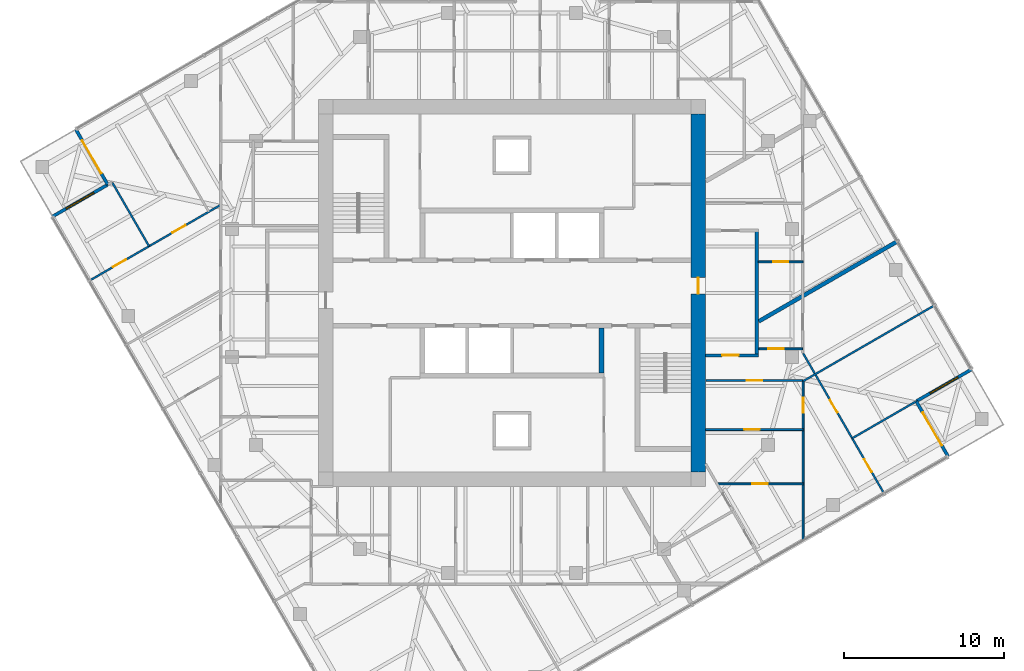
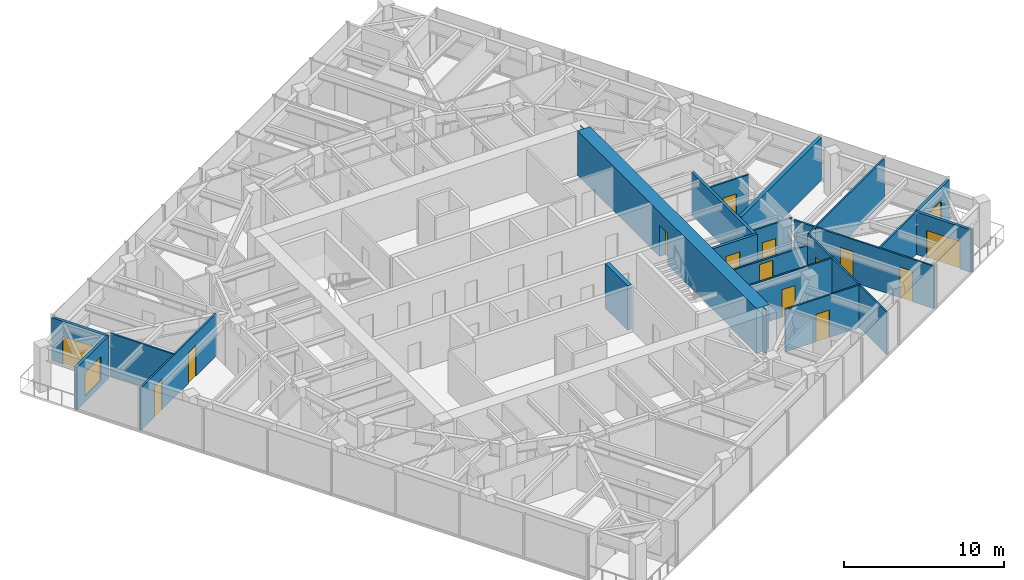
# One storey, part 9 of 13: 20 walls, 14 doors, 2 windows, 16 openings.
"""IFC4 building model written with IfcOpenShell, lengths in metres."""

from ifc_helpers import new_model, si_unit, direction, frame, frame_2d, origin, place, context, subcontext, project, spatial, polyline, rectangle, outline, extrude, material, layer, layer_set, type_object, element, fill, save


model = new_model("IFC4")

# Units and contexts
model_context = context("Model", 3, precision=1e-05, world=origin(), true_north=direction((0.0, 1.0)))
body_context = subcontext(model_context, "Body", "Model", "MODEL_VIEW")
ifc_project = project(units=[si_unit("LENGTHUNIT", "METRE"), si_unit("AREAUNIT", "SQUARE_METRE"), si_unit("VOLUMEUNIT", "CUBIC_METRE"), si_unit("PLANEANGLEUNIT", "RADIAN"), si_unit("MASSUNIT", "GRAM", prefix="KILO")], contexts=[model_context])

# Site, building, storey
site_placement = place(None, origin())
site = spatial("IfcSite", under=ifc_project, at=site_placement, CompositionType="ELEMENT")
building_placement = place(site_placement, origin())
building = spatial("IfcBuilding", under=site, at=building_placement, Name="Torsade Residences", CompositionType="ELEMENT")
storey_placement = place(building_placement, frame((0.0, 0.0, 228.60009765625)))
storey = spatial("IfcBuildingStorey", under=building, at=storey_placement, Name="L63", CompositionType="ELEMENT", Elevation=228.60009765625)

# Wall
ifc_material_1 = material(Name="Concrete 80 MPa", Category="concrete")
ifc_layer_1 = layer(ifc_material_1, 0.300048828125)
ifc_layer_set_1 = layer_set([ifc_layer_1], Name="Concrete 80 MPa")
wall_type_1 = type_object("IfcWallType", Name="CORE INTERNAL WALL 300", PredefinedType="SHEAR", material=ifc_layer_set_1)
wall_1_placement = place(storey_placement, frame((45.60009765625, 27.800048828125, 0.0), z_axis=(0.0, 0.0, 1.0), x_axis=(0.0, -1.0, 0.0)))
element("IfcWall", 1, at=wall_1_placement, inside=storey, type_object=wall_type_1, Name="Core wall DS0 L63", PredefinedType="SHEAR", context=body_context, shape_type="SweptSolid", body=[
    extrude(rectangle(XDim=2.800048828125, YDim=0.300048828125, at=frame_2d((1.39990234375, 0.0))), origin(), (0.0, 0.0, 1.0), 3.39990234375),
])

# Wall, opening, door
ifc_material_2 = material(Name="Concrete 80 MPa", Category="concrete")
ifc_layer_2 = layer(ifc_material_2, 0.89990234375)
ifc_layer_set_2 = layer_set([ifc_layer_2], Name="Concrete 80 MPa")
wall_type_2 = type_object("IfcWallType", Name="CORE WALL 900", PredefinedType="SHEAR", material=ifc_layer_set_2)
wall_2_placement = place(storey_placement, frame((51.64990234375, 18.800048828125, 0.0), z_axis=(0.0, 0.0, 1.0), x_axis=(0.0, 1.0, 0.0)))
wall_2 = element("IfcWall", 2, at=wall_2_placement, inside=storey, type_object=wall_type_2, Name="Core wall E L63", PredefinedType="SHEAR", context=body_context, shape_type="SweptSolid", body=[
    extrude(outline(polyline([(0.0, -0.449951171875), (22.39990234375, -0.449951171875), (22.39990234375, -0.02490234375), (22.849853515625, -0.02490234375), (22.849853515625, 0.02490234375), (22.39990234375, 0.02490234375), (22.39990234375, 0.449951171875), (0.0, 0.449951171875), (0.0, 0.02490234375), (-0.449951171875, 0.02490234375), (-0.449951171875, -0.02490234375), (0.0, -0.02490234375), (0.0, -0.449951171875)])), origin(), (0.0, 0.0, 1.0), 3.39990234375),
])
opening_1_placement = place(wall_2_placement, frame((11.139892578125, 0.0, 0.0)))
opening_1 = element("IfcOpeningElement", 3, at=opening_1_placement, cuts=wall_2, Name="Opening D04", PredefinedType="OPENING", context=body_context, shape_type="SweptSolid", body=[
    extrude(rectangle(XDim=1.02001953125, YDim=2.39990234375, at=frame_2d((0.510009765625, 1.199951171875))), frame((0.0, 0.4599609375, 0.0), z_axis=(0.0, -1.0, 0.0), x_axis=(1.0, 0.0, 0.0)), (0.0, 0.0, 1.0), 0.919921875),
])
ifc_material_3 = material(Name="Steel-framed fire door", Category="steel")
door_type_1 = type_object("IfcDoorType", Name="LOBBY SMOKE DOOR 1020x2400", OperationType="NOTDEFINED", PredefinedType="DOOR", material=ifc_material_3)
door_1_placement = place(opening_1_placement, origin())
door_1 = element("IfcDoor", 4, at=door_1_placement, inside=storey, type_object=door_type_1, Name="Lift lobby door E L63", OperationType="SINGLE_SWING_LEFT", OverallHeight=2.39990234375, OverallWidth=1.02001953125, PredefinedType="DOOR", context=body_context, shape_type="SweptSolid", body=[
    extrude(rectangle(XDim=1.02001953125, YDim=2.39990234375, at=frame_2d((0.510009765625, 1.199951171875))), frame((0.0, 0.02490234375, 0.0), z_axis=(0.0, -1.0, 0.0), x_axis=(1.0, 0.0, 0.0)), (0.0, 0.0, 1.0), 0.050048828125),
])
fill(opening_1, door_1)

# Wall
ifc_material_4 = material(Name="Plasterboard on steel stud", Category="steel")
ifc_layer_3 = layer(ifc_material_4, 0.199951171875)
ifc_layer_set_3 = layer_set([ifc_layer_3], Name="Plasterboard on steel stud")
wall_type_3 = type_object("IfcWallType", Name="CORRIDOR WALL 200", PredefinedType="PARTITIONING", material=ifc_layer_set_3)
wall_3_placement = place(storey_placement, frame((55.300048828125, 26.10009765625, 0.0), z_axis=(0.0, 0.0, 1.0), x_axis=(0.0, 1.0, 0.0)))
element("IfcWall", 5, at=wall_3_placement, inside=storey, type_object=wall_type_3, Name="Corridor wall L63", PredefinedType="PARTITIONING", context=body_context, shape_type="SweptSolid", body=[
    extrude(rectangle(XDim=7.7998046875, YDim=0.199951171875, at=frame_2d((3.89990234375, 0.0))), origin(), (0.0, 0.0, 1.0), 3.25),
])

# Wall, opening, door
wall_4_placement = place(storey_placement, frame((52.10009765625, 26.10009765625, 0.0), z_axis=(0.0, 0.0, 1.0), x_axis=(1.0, 0.0, 0.0)))
wall_4 = element("IfcWall", 6, at=wall_4_placement, inside=storey, type_object=wall_type_3, Name="Corridor wall L63", PredefinedType="PARTITIONING", context=body_context, shape_type="SweptSolid", body=[
    extrude(rectangle(XDim=3.2998046875, YDim=0.199951171875, at=frame_2d((1.64990234375, 0.0))), origin(), (0.0, 0.0, 1.0), 3.25),
])
opening_2_placement = place(wall_4_placement, frame((1.0400390625, 0.0, 0.0)))
opening_2 = element("IfcOpeningElement", 7, at=opening_2_placement, cuts=wall_4, Name="Opening D01", PredefinedType="OPENING", context=body_context, shape_type="SweptSolid", body=[
    extrude(rectangle(XDim=1.02001953125, YDim=2.340087890625, at=frame_2d((0.510009765625, 1.169921875))), frame((0.0, 0.10986328125, 0.0), z_axis=(0.0, -1.0, 0.0), x_axis=(1.0, 0.0, 0.0)), (0.0, 0.0, 1.0), 0.219970703125),
])
ifc_material_5 = material(Name="Solid-core timber fire door", Category="wood")
door_type_2 = type_object("IfcDoorType", Name="APARTMENT ENTRY DOOR 1020x2340", OperationType="NOTDEFINED", PredefinedType="DOOR", material=ifc_material_5)
door_2_placement = place(opening_2_placement, origin())
door_2 = element("IfcDoor", 8, at=door_2_placement, inside=storey, type_object=door_type_2, Name="Door Residential corridor to Kitchen and dining", OperationType="SINGLE_SWING_LEFT", OverallHeight=2.340087890625, OverallWidth=1.02001953125, PredefinedType="DOOR", context=body_context, shape_type="SweptSolid", body=[
    extrude(rectangle(XDim=1.02001953125, YDim=2.340087890625, at=frame_2d((0.510009765625, 1.169921875))), frame((0.0, 0.02490234375, 0.0), z_axis=(0.0, -1.0, 0.0), x_axis=(1.0, 0.0, 0.0)), (0.0, 0.0, 1.0), 0.050048828125),
])
fill(opening_2, door_2)

ifc_material_6 = material(Name="Plasterboard on steel stud", Category="steel")
ifc_layer_4 = layer(ifc_material_6, 0.1201171875)
ifc_layer_set_4 = layer_set([ifc_layer_4], Name="Plasterboard on steel stud")
wall_type_4 = type_object("IfcWallType", Name="PARTITION 120", PredefinedType="PARTITIONING", material=ifc_layer_set_4)
wall_5_placement = place(storey_placement, frame((55.429931640625, 26.5078125, 0.0), z_axis=(0.0, 0.0, 1.0), x_axis=(1.0, 0.0, 0.0)))
wall_5 = element("IfcWall", 9, at=wall_5_placement, inside=storey, type_object=wall_type_4, Name="Partition L63", PredefinedType="PARTITIONING", context=body_context, shape_type="SweptSolid", body=[
    extrude(rectangle(XDim=2.739990234375, YDim=0.1201171875, at=frame_2d((1.3701171875, 0.0))), origin(), (0.0, 0.0, 1.0), 3.25),
])
opening_3_placement = place(wall_5_placement, frame((0.590087890625, 0.0, 0.0)))
opening_3 = element("IfcOpeningElement", 10, at=opening_3_placement, cuts=wall_5, Name="Opening D05", PredefinedType="OPENING", context=body_context, shape_type="SweptSolid", body=[
    extrude(rectangle(XDim=0.9599609375, YDim=2.10009765625, at=frame_2d((0.47998046875, 1.050048828125))), frame((0.0, 0.070068359375, 0.0), z_axis=(0.0, -1.0, 0.0), x_axis=(1.0, 0.0, 0.0)), (0.0, 0.0, 1.0), 0.14013671875),
])
ifc_material_7 = material(Name="Hollow-core timber door in a steel cavity frame", Category="steel")
door_type_3 = type_object("IfcDoorType", Name="BATHROOM CAVITY SLIDING DOOR 960", OperationType="SLIDING_TO_LEFT", PredefinedType="DOOR", material=ifc_material_7)
door_3_placement = place(opening_3_placement, origin())
door_3 = element("IfcDoor", 11, at=door_3_placement, inside=storey, type_object=door_type_3, Name="Door Kitchen and dining to Bathroom", OperationType="SLIDING_TO_LEFT", OverallHeight=2.10009765625, OverallWidth=0.9599609375, PredefinedType="DOOR", context=body_context, shape_type="SweptSolid", body=[
    extrude(rectangle(XDim=0.9599609375, YDim=2.10009765625, at=frame_2d((0.47998046875, 1.050048828125))), frame((0.0, 0.02490234375, 0.0), z_axis=(0.0, -1.0, 0.0), x_axis=(1.0, 0.0, 0.0)), (0.0, 0.0, 1.0), 0.050048828125),
])
fill(opening_3, door_3)

wall_6_placement = place(storey_placement, frame((58.169921875, 24.528076171875, 0.0), z_axis=(0.0, 0.0, 1.0), x_axis=(-1.0, 0.0, 0.0)))
wall_6 = element("IfcWall", 12, at=wall_6_placement, inside=storey, type_object=wall_type_4, Name="Partition L63", PredefinedType="PARTITIONING", context=body_context, shape_type="SweptSolid", body=[
    extrude(rectangle(XDim=6.0400390625, YDim=0.1201171875, at=frame_2d((3.02001953125, 0.0))), origin(), (0.0, 0.0, 1.0), 2.349853515625),
])
opening_4_placement = place(wall_6_placement, frame((2.5400390625, 0.0, 0.0)))
opening_4 = element("IfcOpeningElement", 13, at=opening_4_placement, cuts=wall_6, Name="Opening D05", PredefinedType="OPENING", context=body_context, shape_type="SweptSolid", body=[
    extrude(rectangle(XDim=0.9599609375, YDim=2.10009765625, at=frame_2d((0.47998046875, 1.050048828125))), frame((0.0, 0.070068359375, 0.0), z_axis=(0.0, -1.0, 0.0), x_axis=(1.0, 0.0, 0.0)), (0.0, 0.0, 1.0), 0.14013671875),
])
door_4_placement = place(opening_4_placement, origin())
door_4 = element("IfcDoor", 14, at=door_4_placement, inside=storey, type_object=door_type_3, Name="Door Kitchen and dining to Laundry", OperationType="SLIDING_TO_LEFT", OverallHeight=2.10009765625, OverallWidth=0.9599609375, PredefinedType="DOOR", context=body_context, shape_type="SweptSolid", body=[
    extrude(rectangle(XDim=0.9599609375, YDim=2.10009765625, at=frame_2d((0.47998046875, 1.050048828125))), frame((0.0, 0.02490234375, 0.0), z_axis=(0.0, -1.0, 0.0), x_axis=(1.0, 0.0, 0.0)), (0.0, 0.0, 1.0), 0.050048828125),
])
fill(opening_4, door_4)

# Wall, openings, doors
wall_7_placement = place(storey_placement, frame((58.200439453125, 26.22607421875, 0.0), z_axis=(0.0, 0.0, 1.0), x_axis=(0.499992604493, -0.86602967354, 0.0)))
wall_7 = element("IfcWall", 15, at=wall_7_placement, inside=storey, type_object=wall_type_4, Name="Partition L63", PredefinedType="PARTITIONING", context=body_context, shape_type="SweptSolid", body=[
    extrude(rectangle(XDim=10.091552734375, YDim=0.1201171875, at=frame_2d((5.0458984375, 0.0))), origin(), (0.0, 0.0, 1.0), 3.25),
])
opening_5_placement = place(wall_7_placement, frame((3.35888671875, 0.0, 0.0)))
opening_5 = element("IfcOpeningElement", 16, at=opening_5_placement, cuts=wall_7, Name="Opening D02", PredefinedType="OPENING", context=body_context, shape_type="SweptSolid", body=[
    extrude(rectangle(XDim=0.919921875, YDim=2.340087890625, at=frame_2d((0.4599609375, 1.169921875))), frame((0.0, 0.070068359375, 0.0), z_axis=(0.0, -1.0, 0.0), x_axis=(1.0, 0.0, 0.0)), (0.0, 0.0, 1.0), 0.14013671875),
])
opening_6_placement = place(wall_7_placement, frame((7.646484375, 0.0, 0.0)))
opening_6 = element("IfcOpeningElement", 17, at=opening_6_placement, cuts=wall_7, Name="Opening D02", PredefinedType="OPENING", context=body_context, shape_type="SweptSolid", body=[
    extrude(rectangle(XDim=0.919921875, YDim=2.340087890625, at=frame_2d((0.4599609375, 1.169921875))), frame((0.0, 0.070068359375, 0.0), z_axis=(0.0, -1.0, 0.0), x_axis=(1.0, 0.0, 0.0)), (0.0, 0.0, 1.0), 0.14013671875),
])
ifc_material_8 = material(Name="Hollow-core timber door", Category="wood")
door_type_4 = type_object("IfcDoorType", Name="INTERNAL DOOR 920x2340", OperationType="NOTDEFINED", PredefinedType="DOOR", material=ifc_material_8)
door_5_placement = place(opening_5_placement, origin())
door_5 = element("IfcDoor", 18, at=door_5_placement, inside=storey, type_object=door_type_4, Name="Door Bedroom 2 to Living room", OperationType="SINGLE_SWING_RIGHT", OverallHeight=2.340087890625, OverallWidth=0.919921875, PredefinedType="DOOR", context=body_context, shape_type="SweptSolid", body=[
    extrude(rectangle(XDim=0.919921875, YDim=2.340087890625, at=frame_2d((0.4599609375, 1.169921875))), frame((0.0, 0.02490234375, 0.0), z_axis=(0.0, -1.0, 0.0), x_axis=(1.0, 0.0, 0.0)), (0.0, 0.0, 1.0), 0.050048828125),
])
fill(opening_5, door_5)
door_6_placement = place(opening_6_placement, origin())
door_6 = element("IfcDoor", 19, at=door_6_placement, inside=storey, type_object=door_type_4, Name="Door Bedroom 2 to Bedroom 3", OperationType="SINGLE_SWING_LEFT", OverallHeight=2.340087890625, OverallWidth=0.919921875, PredefinedType="DOOR", context=body_context, shape_type="SweptSolid", body=[
    extrude(rectangle(XDim=0.919921875, YDim=2.340087890625, at=frame_2d((0.4599609375, 1.169921875))), frame((0.0, 0.02490234375, 0.0), z_axis=(0.0, -1.0, 0.0), x_axis=(1.0, 0.0, 0.0)), (0.0, 0.0, 1.0), 0.050048828125),
])
fill(opening_6, door_6)

# Wall
wall_8_placement = place(storey_placement, frame((66.388427734375, 29.2138671875, 0.0), z_axis=(0.0, 0.0, 1.0), x_axis=(-0.86602907136, -0.49999364752, 0.0)))
element("IfcWall", 20, at=wall_8_placement, inside=storey, type_object=wall_type_4, Name="Partition L63", PredefinedType="PARTITIONING", context=body_context, shape_type="SweptSolid", body=[
    extrude(rectangle(XDim=9.455078125, YDim=0.1201171875, at=frame_2d((4.7275390625, 0.0))), origin(), (0.0, 0.0, 1.0), 3.25),
])

# Wall, opening, door
wall_9_placement = place(storey_placement, frame((58.199951171875, 18.070068359375, 0.0), z_axis=(0.0, 0.0, 1.0), x_axis=(-1.0, 0.0, 0.0)))
wall_9 = element("IfcWall", 21, at=wall_9_placement, inside=storey, type_object=wall_type_4, Name="Partition L63", PredefinedType="PARTITIONING", context=body_context, shape_type="SweptSolid", body=[
    extrude(rectangle(XDim=5.38134765625, YDim=0.1201171875, at=frame_2d((2.690673828125, 0.0))), origin(), (0.0, 0.0, 1.0), 3.25),
])
opening_7_placement = place(wall_9_placement, frame((2.210693359375, 0.0, 0.0)))
opening_7 = element("IfcOpeningElement", 22, at=opening_7_placement, cuts=wall_9, Name="Opening D05", PredefinedType="OPENING", context=body_context, shape_type="SweptSolid", body=[
    extrude(rectangle(XDim=0.9599609375, YDim=2.10009765625, at=frame_2d((0.47998046875, 1.050048828125))), frame((0.0, 0.070068359375, 0.0), z_axis=(0.0, -1.0, 0.0), x_axis=(1.0, 0.0, 0.0)), (0.0, 0.0, 1.0), 0.14013671875),
])
door_7_placement = place(opening_7_placement, origin())
door_7 = element("IfcDoor", 23, at=door_7_placement, inside=storey, type_object=door_type_3, Name="Door Ensuite to Dressing room", OperationType="SLIDING_TO_LEFT", OverallHeight=2.10009765625, OverallWidth=0.9599609375, PredefinedType="DOOR", context=body_context, shape_type="SweptSolid", body=[
    extrude(rectangle(XDim=0.9599609375, YDim=2.10009765625, at=frame_2d((0.47998046875, 1.050048828125))), frame((0.0, 0.02490234375, 0.0), z_axis=(0.0, -1.0, 0.0), x_axis=(1.0, 0.0, 0.0)), (0.0, 0.0, 1.0), 0.050048828125),
])
fill(opening_7, door_7)

wall_10_placement = place(storey_placement, frame((52.10009765625, 21.462158203125, 0.0), z_axis=(0.0, 0.0, 1.0), x_axis=(1.0, 0.0, 0.0)))
wall_10 = element("IfcWall", 24, at=wall_10_placement, inside=storey, type_object=wall_type_4, Name="Partition L63", PredefinedType="PARTITIONING", context=body_context, shape_type="SweptSolid", body=[
    extrude(rectangle(XDim=6.099853515625, YDim=0.1201171875, at=frame_2d((3.0498046875, 0.0))), origin(), (0.0, 0.0, 1.0), 3.25),
])
opening_8_placement = place(wall_10_placement, frame((2.419921875, 0.0, 0.0)))
opening_8 = element("IfcOpeningElement", 25, at=opening_8_placement, cuts=wall_10, Name="Opening D05", PredefinedType="OPENING", context=body_context, shape_type="SweptSolid", body=[
    extrude(rectangle(XDim=0.9599609375, YDim=2.10009765625, at=frame_2d((0.47998046875, 1.050048828125))), frame((0.0, 0.070068359375, 0.0), z_axis=(0.0, -1.0, 0.0), x_axis=(1.0, 0.0, 0.0)), (0.0, 0.0, 1.0), 0.14013671875),
])
door_8_placement = place(opening_8_placement, origin())
door_8 = element("IfcDoor", 26, at=door_8_placement, inside=storey, type_object=door_type_3, Name="Door Laundry to Ensuite", OperationType="SLIDING_TO_LEFT", OverallHeight=2.10009765625, OverallWidth=0.9599609375, PredefinedType="DOOR", context=body_context, shape_type="SweptSolid", body=[
    extrude(rectangle(XDim=0.9599609375, YDim=2.10009765625, at=frame_2d((0.47998046875, 1.050048828125))), frame((0.0, 0.02490234375, 0.0), z_axis=(0.0, -1.0, 0.0), x_axis=(1.0, 0.0, 0.0)), (0.0, 0.0, 1.0), 0.050048828125),
])
fill(opening_8, door_8)

wall_11_placement = place(storey_placement, frame((58.199951171875, 24.498046875, 0.0), z_axis=(0.0, 0.0, 1.0), x_axis=(0.0, -1.0, 0.0)))
wall_11 = element("IfcWall", 27, at=wall_11_placement, inside=storey, type_object=wall_type_4, Name="Partition L63", PredefinedType="PARTITIONING", context=body_context, shape_type="SweptSolid", body=[
    extrude(rectangle(XDim=9.9248046875, YDim=0.1201171875, at=frame_2d((4.96240234375, 0.0))), origin(), (0.0, 0.0, 1.0), 3.25),
])
opening_9_placement = place(wall_11_placement, frame((1.037841796875, 0.0, 0.0)))
opening_9 = element("IfcOpeningElement", 28, at=opening_9_placement, cuts=wall_11, Name="Opening D05", PredefinedType="OPENING", context=body_context, shape_type="SweptSolid", body=[
    extrude(rectangle(XDim=0.9599609375, YDim=2.10009765625, at=frame_2d((0.47998046875, 1.050048828125))), frame((0.0, 0.070068359375, 0.0), z_axis=(0.0, -1.0, 0.0), x_axis=(1.0, 0.0, 0.0)), (0.0, 0.0, 1.0), 0.14013671875),
])
door_9_placement = place(opening_9_placement, origin())
door_9 = element("IfcDoor", 29, at=door_9_placement, inside=storey, type_object=door_type_3, Name="Door Laundry to Bedroom 2", OperationType="SLIDING_TO_LEFT", OverallHeight=2.10009765625, OverallWidth=0.9599609375, PredefinedType="DOOR", context=body_context, shape_type="SweptSolid", body=[
    extrude(rectangle(XDim=0.9599609375, YDim=2.10009765625, at=frame_2d((0.47998046875, 1.050048828125))), frame((0.0, 0.02490234375, 0.0), z_axis=(0.0, -1.0, 0.0), x_axis=(1.0, 0.0, 0.0)), (0.0, 0.0, 1.0), 0.050048828125),
])
fill(opening_9, door_9)

# Wall
wall_12_placement = place(storey_placement, frame((65.23681640625, 23.20849609375, 0.0), z_axis=(0.0, 0.0, 1.0), x_axis=(-0.866025975094, -0.499999010461, 0.0)))
element("IfcWall", 30, at=wall_12_placement, inside=storey, type_object=wall_type_4, Name="Partition L63", PredefinedType="PARTITIONING", context=body_context, shape_type="SweptSolid", body=[
    extrude(rectangle(XDim=4.5849609375, YDim=0.1201171875, at=frame_2d((2.29248046875, 0.0))), origin(), (0.0, 0.0, 1.0), 3.25),
])

# Wall, opening, door
wall_13_placement = place(storey_placement, frame((58.199951171875, 31.945068359375, 0.0), z_axis=(0.0, 0.0, 1.0), x_axis=(-1.0, 0.0, 0.0)))
wall_13 = element("IfcWall", 31, at=wall_13_placement, inside=storey, type_object=wall_type_4, Name="Partition L63", PredefinedType="PARTITIONING", context=body_context, shape_type="SweptSolid", body=[
    extrude(rectangle(XDim=2.800048828125, YDim=0.1201171875, at=frame_2d((1.39990234375, 0.0))), origin(), (0.0, 0.0, 1.0), 3.25),
])
opening_10_placement = place(wall_13_placement, frame((0.919921875, 0.0, 0.0)))
opening_10 = element("IfcOpeningElement", 32, at=opening_10_placement, cuts=wall_13, Name="Opening D05", PredefinedType="OPENING", context=body_context, shape_type="SweptSolid", body=[
    extrude(rectangle(XDim=0.9599609375, YDim=2.10009765625, at=frame_2d((0.47998046875, 1.050048828125))), frame((0.0, 0.070068359375, 0.0), z_axis=(0.0, -1.0, 0.0), x_axis=(1.0, 0.0, 0.0)), (0.0, 0.0, 1.0), 0.14013671875),
])
door_10_placement = place(opening_10_placement, origin())
door_10 = element("IfcDoor", 33, at=door_10_placement, inside=storey, type_object=door_type_3, Name="Door Kitchen and dining to Bathroom", OperationType="SLIDING_TO_LEFT", OverallHeight=2.10009765625, OverallWidth=0.9599609375, PredefinedType="DOOR", context=body_context, shape_type="SweptSolid", body=[
    extrude(rectangle(XDim=0.9599609375, YDim=2.10009765625, at=frame_2d((0.47998046875, 1.050048828125))), frame((0.0, 0.02490234375, 0.0), z_axis=(0.0, -1.0, 0.0), x_axis=(1.0, 0.0, 0.0)), (0.0, 0.0, 1.0), 0.050048828125),
])
fill(opening_10, door_10)

# Wall, openings, doors
wall_14_placement = place(storey_placement, frame((21.800048828125, 35.513671875, 0.0), z_axis=(0.0, 0.0, 1.0), x_axis=(-0.86602907136, -0.49999364752, 0.0)))
wall_14 = element("IfcWall", 34, at=wall_14_placement, inside=storey, type_object=wall_type_4, Name="Partition L63", PredefinedType="PARTITIONING", context=body_context, shape_type="SweptSolid", body=[
    extrude(rectangle(XDim=9.455078125, YDim=0.1201171875, at=frame_2d((4.7275390625, 0.0))), origin(), (0.0, 0.0, 1.0), 3.25),
])
opening_11_placement = place(wall_14_placement, frame((6.853759765625, 0.0, 0.0)))
opening_11 = element("IfcOpeningElement", 35, at=opening_11_placement, cuts=wall_14, Name="Opening D02", PredefinedType="OPENING", context=body_context, shape_type="SweptSolid", body=[
    extrude(rectangle(XDim=0.919921875, YDim=2.340087890625, at=frame_2d((0.4599609375, 1.169921875))), frame((0.0, 0.070068359375, 0.0), z_axis=(0.0, -1.0, 0.0), x_axis=(1.0, 0.0, 0.0)), (0.0, 0.0, 1.0), 0.14013671875),
])
opening_12_placement = place(wall_14_placement, frame((2.56640625, 0.0, 0.0)))
opening_12 = element("IfcOpeningElement", 36, at=opening_12_placement, cuts=wall_14, Name="Opening D02", PredefinedType="OPENING", context=body_context, shape_type="SweptSolid", body=[
    extrude(rectangle(XDim=0.919921875, YDim=2.340087890625, at=frame_2d((0.4599609375, 1.169921875))), frame((0.0, 0.070068359375, 0.0), z_axis=(0.0, -1.0, 0.0), x_axis=(1.0, 0.0, 0.0)), (0.0, 0.0, 1.0), 0.14013671875),
])
door_11_placement = place(opening_11_placement, origin())
door_11 = element("IfcDoor", 37, at=door_11_placement, inside=storey, type_object=door_type_4, Name="Door Family room to Dining room 2", OperationType="SINGLE_SWING_RIGHT", OverallHeight=2.340087890625, OverallWidth=0.919921875, PredefinedType="DOOR", context=body_context, shape_type="SweptSolid", body=[
    extrude(rectangle(XDim=0.919921875, YDim=2.340087890625, at=frame_2d((0.4599609375, 1.169921875))), frame((0.0, 0.02490234375, 0.0), z_axis=(0.0, -1.0, 0.0), x_axis=(1.0, 0.0, 0.0)), (0.0, 0.0, 1.0), 0.050048828125),
])
fill(opening_11, door_11)
door_12_placement = place(opening_12_placement, origin())
door_12 = element("IfcDoor", 38, at=door_12_placement, inside=storey, type_object=door_type_4, Name="Door Family room to Bedroom 2", OperationType="SINGLE_SWING_LEFT", OverallHeight=2.340087890625, OverallWidth=0.919921875, PredefinedType="DOOR", context=body_context, shape_type="SweptSolid", body=[
    extrude(rectangle(XDim=0.919921875, YDim=2.340087890625, at=frame_2d((0.4599609375, 1.169921875))), frame((0.0, 0.02490234375, 0.0), z_axis=(0.0, -1.0, 0.0), x_axis=(1.0, 0.0, 0.0)), (0.0, 0.0, 1.0), 0.050048828125),
])
fill(opening_12, door_12)

# Walls
wall_15_placement = place(storey_placement, frame((17.311767578125, 32.922119140625, 0.0), z_axis=(0.0, 0.0, 1.0), x_axis=(-0.499984590049, 0.866034300541, 0.0)))
element("IfcWall", 39, at=wall_15_placement, inside=storey, type_object=wall_type_4, Name="Partition L63", PredefinedType="PARTITIONING", context=body_context, shape_type="SweptSolid", body=[
    extrude(rectangle(XDim=4.595458984375, YDim=0.1201171875, at=frame_2d((2.2978515625, 0.0))), origin(), (0.0, 0.0, 1.0), 3.25),
])
ifc_material_9 = material(Name="Masonry-lined stud party wall", Category="masonry")
ifc_layer_5 = layer(ifc_material_9, 0.25)
ifc_layer_set_5 = layer_set([ifc_layer_5], Name="Masonry-lined stud party wall")
wall_type_5 = type_object("IfcWallType", Name="PARTY WALL 250", PredefinedType="PARTITIONING", material=ifc_layer_set_5)
wall_16_placement = place(storey_placement, frame((64.110595703125, 33.2392578125, 0.0), z_axis=(0.0, 0.0, 1.0), x_axis=(-0.866024190901, -0.50000210077, 0.0)))
element("IfcWall", 40, at=wall_16_placement, inside=storey, type_object=wall_type_5, Name="Party wall L63", PredefinedType="PARTITIONING", context=body_context, shape_type="SweptSolid", body=[
    extrude(rectangle(XDim=10.02587890625, YDim=0.25, at=frame_2d((5.012939453125, 0.0))), origin(), (0.0, 0.0, 1.0), 3.25),
])

# Wall, opening, door
ifc_material_10 = material(Name="Stone-faced precast concrete 40 MPa panel", Category="masonry")
ifc_layer_6 = layer(ifc_material_10, 0.199951171875)
ifc_layer_set_6 = layer_set([ifc_layer_6], Name="Stone-faced precast concrete 40 MPa panel")
wall_type_6 = type_object("IfcWallType", Name="TERRACE WALL 200", PredefinedType="SOLIDWALL", material=ifc_layer_set_6)
wall_17_placement = place(storey_placement, frame((67.271484375, 19.764404296875, 0.0), z_axis=(0.0, 0.0, 1.0), x_axis=(-0.49999894854, 0.866026010844, 0.0)))
wall_17 = element("IfcWall", 41, at=wall_17_placement, inside=storey, type_object=wall_type_6, Name="Terrace wall L63 2", PredefinedType="SOLIDWALL", context=body_context, shape_type="SweptSolid", body=[
    extrude(rectangle(XDim=4.0, YDim=0.199951171875, at=frame_2d((2.0, 0.0))), origin(), (0.0, 0.0, 1.0), 3.25),
])
opening_13_placement = place(wall_17_placement, frame((0.800048828125, 0.0, 0.0)))
opening_13 = element("IfcOpeningElement", 42, at=opening_13_placement, cuts=wall_17, Name="Opening D10A", PredefinedType="OPENING", context=body_context, shape_type="SweptSolid", body=[
    extrude(rectangle(XDim=2.39990234375, YDim=2.10009765625, at=frame_2d((1.199951171875, 1.050048828125))), frame((0.0, 0.10986328125, 0.0), z_axis=(0.0, -1.0, 0.0), x_axis=(1.0, 0.0, 0.0)), (0.0, 0.0, 1.0), 0.219970703125),
])
ifc_material_11 = material(Name="Aluminium-framed glass door", Category="aluminium")
door_type_5 = type_object("IfcDoorType", Name="TERRACE SLIDING DOOR 2400x2100", OperationType="SLIDING_TO_LEFT", PredefinedType="DOOR", material=ifc_material_11)
door_13_placement = place(opening_13_placement, origin())
door_13 = element("IfcDoor", 43, at=door_13_placement, inside=storey, type_object=door_type_5, Name="Terrace door L63 2", OperationType="SLIDING_TO_LEFT", OverallHeight=2.10009765625, OverallWidth=2.39990234375, PredefinedType="DOOR", context=body_context, shape_type="SweptSolid", body=[
    extrude(rectangle(XDim=2.39990234375, YDim=2.10009765625, at=frame_2d((1.199951171875, 1.050048828125))), frame((0.0, 0.02490234375, 0.0), z_axis=(0.0, -1.0, 0.0), x_axis=(1.0, 0.0, 0.0)), (0.0, 0.0, 1.0), 0.050048828125),
])
fill(opening_13, door_13)

# Wall, opening, window
wall_18_placement = place(storey_placement, frame((65.271484375, 23.228515625, 0.0), z_axis=(0.0, 0.0, 1.0), x_axis=(0.866026010844, 0.49999894854, 0.0)))
wall_18 = element("IfcWall", 44, at=wall_18_placement, inside=storey, type_object=wall_type_6, Name="Terrace wall L63 3", PredefinedType="SOLIDWALL", context=body_context, shape_type="SweptSolid", body=[
    extrude(rectangle(XDim=4.0, YDim=0.199951171875, at=frame_2d((2.0, 0.0))), origin(), (0.0, 0.0, 1.0), 3.25),
])
opening_14_placement = place(wall_18_placement, frame((1.0, 0.0, 0.449951171875)))
opening_14 = element("IfcOpeningElement", 45, at=opening_14_placement, cuts=wall_18, Name="Opening W1B", PredefinedType="OPENING", context=body_context, shape_type="SweptSolid", body=[
    extrude(rectangle(XDim=2.0, YDim=1.800048828125, at=frame_2d((1.0, 0.89990234375))), frame((0.0, 0.10986328125, 0.0), z_axis=(0.0, -1.0, 0.0), x_axis=(1.0, 0.0, 0.0)), (0.0, 0.0, 1.0), 0.219970703125),
])
ifc_material_12 = material(Name="Aluminium-framed glass window", Category="aluminium")
window_type = type_object("IfcWindowType", Name="TERRACE WINDOW 2000x1800", PartitioningType="SINGLE_PANEL", PredefinedType="WINDOW", material=ifc_material_12)
window_1_placement = place(opening_14_placement, origin())
window_1 = element("IfcWindow", 46, at=window_1_placement, inside=storey, type_object=window_type, Name="Terrace window L63 3", OverallHeight=1.800048828125, OverallWidth=2.0, PartitioningType="SINGLE_PANEL", PredefinedType="WINDOW", context=body_context, shape_type="SweptSolid", body=[
    extrude(rectangle(XDim=2.0, YDim=1.800048828125, at=frame_2d((1.0, 0.89990234375))), frame((0.0, 0.030029296875, 0.0), z_axis=(0.0, -1.0, 0.0), x_axis=(1.0, 0.0, 0.0)), (0.0, 0.0, 1.0), 0.06005859375),
])
fill(opening_14, window_1)

# Wall, opening, door
wall_19_placement = place(storey_placement, frame((12.728515625, 40.235595703125, 0.0), z_axis=(0.0, 0.0, 1.0), x_axis=(0.49999894854, -0.866026010844, 0.0)))
wall_19 = element("IfcWall", 47, at=wall_19_placement, inside=storey, type_object=wall_type_6, Name="Terrace wall L63 8", PredefinedType="SOLIDWALL", context=body_context, shape_type="SweptSolid", body=[
    extrude(rectangle(XDim=4.0, YDim=0.199951171875, at=frame_2d((2.0, 0.0))), origin(), (0.0, 0.0, 1.0), 3.25),
])
opening_15_placement = place(wall_19_placement, frame((0.800048828125, 0.0, 0.0)))
opening_15 = element("IfcOpeningElement", 48, at=opening_15_placement, cuts=wall_19, Name="Opening D10A", PredefinedType="OPENING", context=body_context, shape_type="SweptSolid", body=[
    extrude(rectangle(XDim=2.39990234375, YDim=2.10009765625, at=frame_2d((1.199951171875, 1.050048828125))), frame((0.0, 0.10986328125, 0.0), z_axis=(0.0, -1.0, 0.0), x_axis=(1.0, 0.0, 0.0)), (0.0, 0.0, 1.0), 0.219970703125),
])
door_14_placement = place(opening_15_placement, origin())
door_14 = element("IfcDoor", 49, at=door_14_placement, inside=storey, type_object=door_type_5, Name="Terrace door L63 8", OperationType="SLIDING_TO_LEFT", OverallHeight=2.10009765625, OverallWidth=2.39990234375, PredefinedType="DOOR", context=body_context, shape_type="SweptSolid", body=[
    extrude(rectangle(XDim=2.39990234375, YDim=2.10009765625, at=frame_2d((1.199951171875, 1.050048828125))), frame((0.0, 0.02490234375, 0.0), z_axis=(0.0, -1.0, 0.0), x_axis=(1.0, 0.0, 0.0)), (0.0, 0.0, 1.0), 0.050048828125),
])
fill(opening_15, door_14)

# Wall, opening, window
wall_20_placement = place(storey_placement, frame((14.728515625, 36.771484375, 0.0), z_axis=(0.0, 0.0, 1.0), x_axis=(-0.866026010844, -0.49999894854, 0.0)))
wall_20 = element("IfcWall", 50, at=wall_20_placement, inside=storey, type_object=wall_type_6, Name="Terrace wall L63 9", PredefinedType="SOLIDWALL", context=body_context, shape_type="SweptSolid", body=[
    extrude(rectangle(XDim=4.0, YDim=0.199951171875, at=frame_2d((2.0, 0.0))), origin(), (0.0, 0.0, 1.0), 3.25),
])
opening_16_placement = place(wall_20_placement, frame((1.0, 0.0, 0.449951171875)))
opening_16 = element("IfcOpeningElement", 51, at=opening_16_placement, cuts=wall_20, Name="Opening W1B", PredefinedType="OPENING", context=body_context, shape_type="SweptSolid", body=[
    extrude(rectangle(XDim=2.0, YDim=1.800048828125, at=frame_2d((1.0, 0.89990234375))), frame((0.0, 0.10986328125, 0.0), z_axis=(0.0, -1.0, 0.0), x_axis=(1.0, 0.0, 0.0)), (0.0, 0.0, 1.0), 0.219970703125),
])
window_2_placement = place(opening_16_placement, origin())
window_2 = element("IfcWindow", 52, at=window_2_placement, inside=storey, type_object=window_type, Name="Terrace window L63 9", OverallHeight=1.800048828125, OverallWidth=2.0, PartitioningType="SINGLE_PANEL", PredefinedType="WINDOW", context=body_context, shape_type="SweptSolid", body=[
    extrude(rectangle(XDim=2.0, YDim=1.800048828125, at=frame_2d((1.0, 0.89990234375))), frame((0.0, 0.030029296875, 0.0), z_axis=(0.0, -1.0, 0.0), x_axis=(1.0, 0.0, 0.0)), (0.0, 0.0, 1.0), 0.06005859375),
])
fill(opening_16, window_2)

save(model, "model.ifc")
